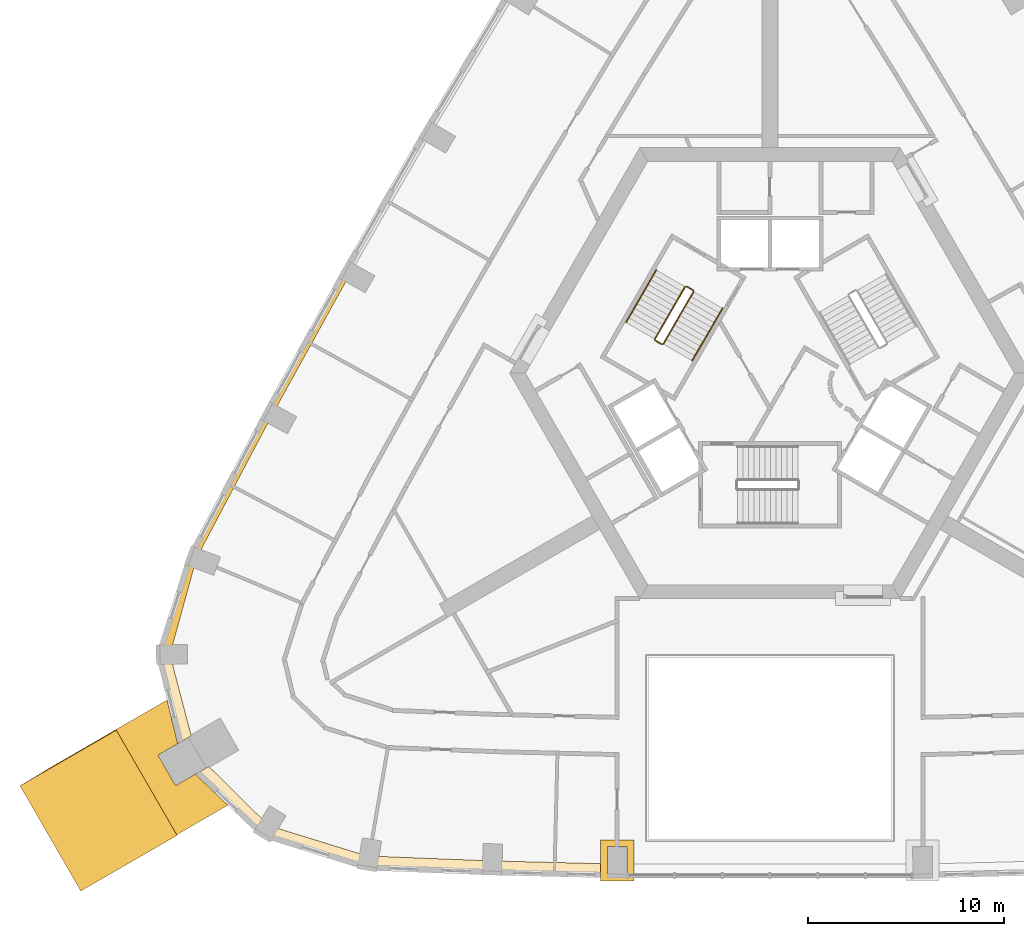
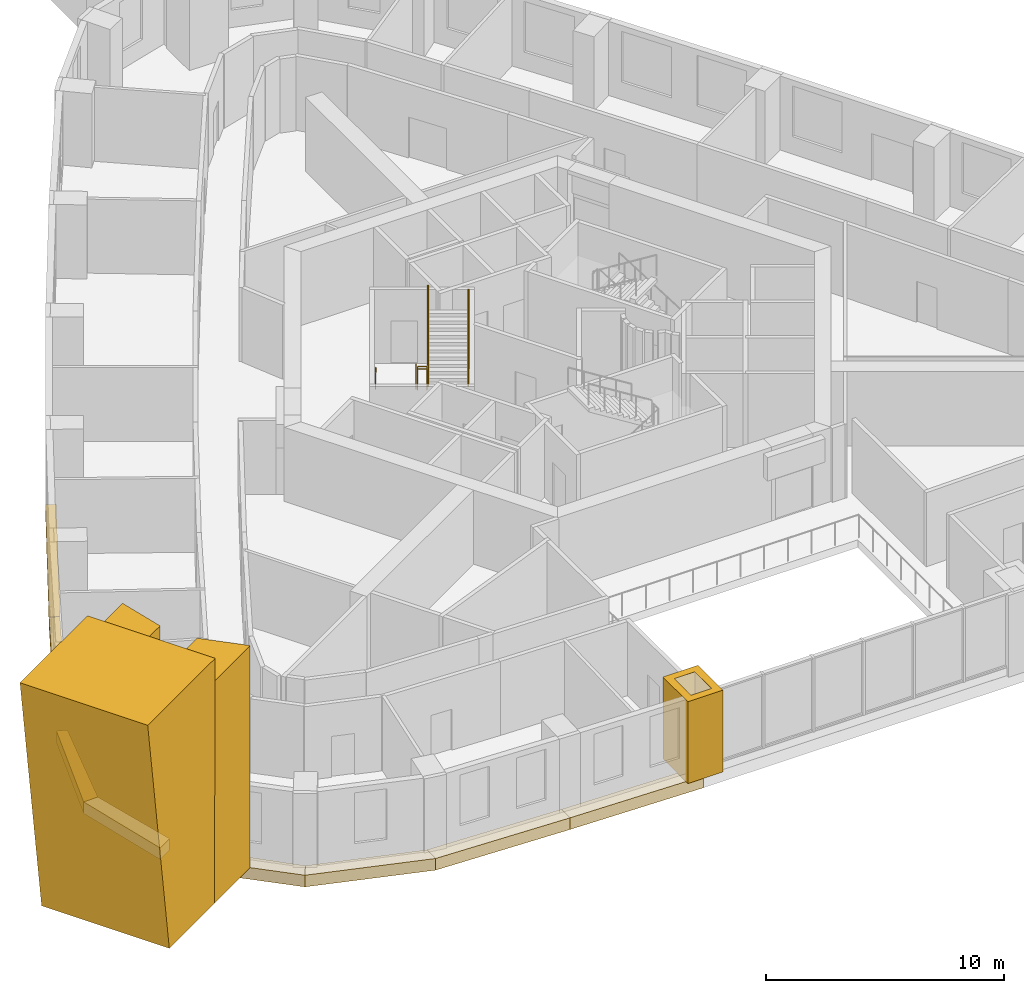
# One storey, part 11 of 13: 11 coverings, 6 railings.
"""IFC4 building model written with IfcOpenShell, lengths in metres."""

import ifcopenshell
import ifcopenshell.guid

model = None  # the IFC model being written
_history = None  # IfcOwnerHistory: only IFC2X3 demands one
_inside = {}  # id of a spatial element -> (the spatial element, [elements in it])
_under = {}  # id of a project, library or spatial element -> (it, [spatial elements below it])
_declared = {}  # id of a project -> (the project, [libraries it declares])
_typed = {}  # id of a type object -> (the type object, [elements of that type])
_made_of = {}  # id of a material, layer set ... -> (it, [elements and type objects made of it])


def new_model(schema):
    """Start an empty IFC model of exactly this schema.

    Asked for "IFC4X3", IfcOpenShell would pick the latest addendum, in which some entities
    have other attributes; the version numbers below select the first issue.
    IFC2X3 requires an IfcOwnerHistory on every rooted entity: one is made here for all.
    """
    global model, _history
    if schema == "IFC4X3":
        model = ifcopenshell.file(schema_version=(4, 3, 0, 0))
    else:
        model = ifcopenshell.file(schema=schema)
    _inside.clear()
    _under.clear()
    _declared.clear()
    _typed.clear()
    _made_of.clear()
    _history = None
    if model.schema == "IFC2X3":
        org = make("IfcOrganization", Name="unknown")
        user = make(
            "IfcPersonAndOrganization",
            ThePerson=make("IfcPerson", FamilyName="unknown"),
            TheOrganization=org,
        )
        app = make(
            "IfcApplication",
            ApplicationDeveloper=org,
            Version="unknown",
            ApplicationFullName="unknown",
            ApplicationIdentifier="unknown",
        )
        _history = make(
            "IfcOwnerHistory",
            OwningUser=user,
            OwningApplication=app,
            ChangeAction="ADDED",
            CreationDate=0,
        )
    return model


def make(cls, **values):
    """One entity of the class cls with the attributes given. An attribute that is None is left unset."""
    return model.create_entity(
        cls, **{name: value for name, value in values.items() if value is not None}
    )


def rooted(cls, **values):
    """An entity with a GlobalId (a new one), such as an element, a storey or a relation."""
    return make(cls, GlobalId=ifcopenshell.guid.new(), OwnerHistory=_history, **values)


def si_unit(unit_type, name, prefix=None):
    """IfcSIUnit, for example si_unit("LENGTHUNIT", "METRE", prefix="MILLI")."""
    return make("IfcSIUnit", UnitType=unit_type, Prefix=prefix, Name=name)


def assignment(units):
    """IfcUnitAssignment: the units of a project."""
    return None if units is None else make("IfcUnitAssignment", Units=units)


def point(xyz):
    """IfcCartesianPoint."""
    return None if xyz is None else make("IfcCartesianPoint", Coordinates=xyz)


def direction(xyz):
    """IfcDirection."""
    return None if xyz is None else make("IfcDirection", DirectionRatios=xyz)


def frame(location, z_axis=None, x_axis=None):
    """IfcAxis2Placement3D, a coordinate frame: its origin and axes. An axis left out is left unset."""
    return make(
        "IfcAxis2Placement3D",
        Location=point(location),
        Axis=direction(z_axis),
        RefDirection=direction(x_axis),
    )


def frame_2d(location, x_axis=None):
    """IfcAxis2Placement2D, a coordinate frame in the plane: its origin and x axis."""
    return make(
        "IfcAxis2Placement2D", Location=point(location), RefDirection=direction(x_axis)
    )


def origin():
    """The frame at (0, 0, 0) with its axes left unset."""
    return frame((0.0, 0.0, 0.0))


def origin_2d():
    """The frame at (0, 0) in the plane with its x axis left unset."""
    return frame_2d((0.0, 0.0))


def place(relative_to, where):
    """IfcLocalPlacement: puts the frame where relative to a parent placement (None: the world)."""
    return make(
        "IfcLocalPlacement", PlacementRelTo=relative_to, RelativePlacement=where
    )


def context(
    kind, dimensions, precision=None, world=None, true_north=None, identifier=None
):
    """IfcGeometricRepresentationContext, for example the 3D "Model" context."""
    return make(
        "IfcGeometricRepresentationContext",
        ContextIdentifier=identifier,
        ContextType=kind,
        CoordinateSpaceDimension=dimensions,
        Precision=precision,
        WorldCoordinateSystem=world,
        TrueNorth=true_north,
    )


def subcontext(parent, identifier, kind, view, scale=None):
    """IfcGeometricRepresentationSubContext, for example "Body" below "Model"."""
    return make(
        "IfcGeometricRepresentationSubContext",
        ContextIdentifier=identifier,
        ContextType=kind,
        ParentContext=parent,
        TargetScale=scale,
        TargetView=view,
    )


def project(units=None, contexts=None):
    """IfcProject with its units and contexts."""
    return rooted(
        "IfcProject",
        Name="project",
        RepresentationContexts=contexts,
        UnitsInContext=assignment(units),
    )


def spatial(cls, under=None, at=None, **own):
    """A site, building, storey or space (cls), placed at a placement, below another one or the project."""
    s = rooted(cls, ObjectPlacement=at, **own)
    if under is not None:
        _under.setdefault(under.id(), (under, []))[1].append(s)
    return s


def polyline(points):
    """IfcPolyline through the points."""
    return make("IfcPolyline", Points=[point(p) for p in points])


def profile(cls, at=None, kind="AREA", **sizes):
    """A parametric profile (cls). Its sizes go by their IFC names, for example OverallWidth=200.0."""
    return make(cls, ProfileType=kind, Position=at, **sizes)


def circle(**sizes):
    """IfcCircleProfileDef."""
    return profile("IfcCircleProfileDef", **sizes)


def outline(outer, holes=None, kind="AREA"):
    """IfcArbitraryClosedProfileDef: a profile drawn as a closed curve; with holes, ...WithVoids."""
    if holes is None:
        return make("IfcArbitraryClosedProfileDef", ProfileType=kind, OuterCurve=outer)
    return make(
        "IfcArbitraryProfileDefWithVoids",
        ProfileType=kind,
        OuterCurve=outer,
        InnerCurves=holes,
    )


def extrude(swept, where, along, depth):
    """IfcExtrudedAreaSolid: the profile swept, set in the frame where, extruded along a direction by depth."""
    return make(
        "IfcExtrudedAreaSolid",
        SweptArea=swept,
        Position=where,
        ExtrudedDirection=direction(along),
        Depth=depth,
    )


def shape(context_of_items, identifier, shape_type, items):
    """IfcShapeRepresentation: the items that make up one representation, for example the "Body"."""
    return make(
        "IfcShapeRepresentation",
        ContextOfItems=context_of_items,
        RepresentationIdentifier=identifier,
        RepresentationType=shape_type,
        Items=items,
    )


def material(Name=None, Category=None):
    """IfcMaterial."""
    return make("IfcMaterial", Name=Name, Category=Category)


def made_of(thing, what):
    """Note that an element or type object is made of a material, layer set ...; save() writes the relation."""
    if what is not None:
        _made_of.setdefault(what.id(), (what, []))[1].append(thing)
    return thing


def type_object(cls, material=None, **own):
    """A type object (cls), such as IfcWallType, which elements share."""
    return made_of(rooted(cls, **own), material)


def element(
    cls,
    number,
    at=None,
    inside=None,
    cuts=None,
    type_object=None,
    material=None,
    context=None,
    identifier="Body",
    shape_type=None,
    held_by="IfcProductDefinitionShape",
    body=None,
    shapes=None,
    **own,
):
    """One element of the class cls, such as IfcWall. Its Tag is "e" and its number.

    at: its placement. inside: the storey or other place that contains it. cuts: it is an
    opening in that element (IfcRelVoidsElement). A single representation is given by context,
    identifier, shape_type and body (its items); several are given by shapes. held_by: the class
    of the entity that holds the representations. save() writes the other relations.
    """
    e = rooted(cls, Tag="e%d" % number, ObjectPlacement=at, **own)
    if body is not None:
        shapes = [shape(context, identifier, shape_type, body)]
    if shapes is not None:
        e.Representation = make(held_by, Representations=shapes)
    if inside is not None:
        _inside.setdefault(inside.id(), (inside, []))[1].append(e)
    if cuts is not None:
        rooted(
            "IfcRelVoidsElement", RelatingBuildingElement=cuts, RelatedOpeningElement=e
        )
    if type_object is not None:
        _typed.setdefault(type_object.id(), (type_object, []))[1].append(e)
    return made_of(e, material)


def aggregate(whole, parts):
    """IfcRelAggregates: a whole, such as a stair, and the parts it consists of."""
    return rooted("IfcRelAggregates", RelatingObject=whole, RelatedObjects=parts)


def save(model, path):
    """Write the relations noted so far, then the file.

    IfcRelAggregates (storeys below a building ...), IfcRelContainedInSpatialStructure (elements
    in a storey), IfcRelDefinesByType, IfcRelAssociatesMaterial and IfcRelDeclares: one each for
    every whole, place, type object, material and project.
    """
    for whole, parts in _under.values():
        aggregate(whole, parts)
    for where, things in _inside.values():
        rooted(
            "IfcRelContainedInSpatialStructure",
            RelatedElements=things,
            RelatingStructure=where,
        )
    for kind, things in _typed.values():
        rooted("IfcRelDefinesByType", RelatedObjects=things, RelatingType=kind)
    for what, things in _made_of.values():
        rooted("IfcRelAssociatesMaterial", RelatedObjects=things, RelatingMaterial=what)
    for by, libraries in _declared.values():
        rooted("IfcRelDeclares", RelatingContext=by, RelatedDefinitions=libraries)
    model.write(path)


model = new_model("IFC4")

# Units and contexts
model_context = context("Model", 3, precision=1e-05, world=origin(), true_north=direction((0.0, 1.0)))
body_context = subcontext(model_context, "Body", "Model", "MODEL_VIEW")
ifc_project = project(units=[si_unit("LENGTHUNIT", "METRE"), si_unit("AREAUNIT", "SQUARE_METRE"), si_unit("VOLUMEUNIT", "CUBIC_METRE"), si_unit("PLANEANGLEUNIT", "RADIAN"), si_unit("MASSUNIT", "GRAM", prefix="KILO")], contexts=[model_context])

# Site, building, storey
site_placement = place(None, origin())
site = spatial("IfcSite", under=ifc_project, at=site_placement, CompositionType="ELEMENT")
building_placement = place(site_placement, origin())
building = spatial("IfcBuilding", under=site, at=building_placement, Name="Entoto Arch Interchange Tower", CompositionType="ELEMENT")
storey_placement = place(building_placement, frame((0.0, 0.0, 215.0)))
storey = spatial("IfcBuildingStorey", under=building, at=storey_placement, Name="L48", CompositionType="ELEMENT", Elevation=215.0)

# Coverings
ifc_material_1 = material(Name="Board-marked precast concrete C50/60", Category="concrete")
covering_type_1 = type_object("IfcCoveringType", Name="PRECAST FRAME COURSE", PredefinedType="CLADDING", material=ifc_material_1)
covering_1_placement = place(storey_placement, frame((0.0, 0.0, -0.39990234375)))
element("IfcCovering", 1, at=covering_1_placement, inside=storey, type_object=covering_type_1, Name="Corner pilaster SW L48-L50", PredefinedType="CLADDING", context=body_context, shape_type="SweptSolid", body=[
    extrude(outline(polyline([(-30.260986328125, -21.051025390625), (-33.361083984375, -15.680908203125), (-30.7529296875, -14.176025390625), (-30.212890625, -16.404052734375), (-31.220947265625, -16.987060546875), (-30.321044921875, -18.544921875), (-29.31298828125, -17.962890625), (-27.653076171875, -19.544921875), (-30.260986328125, -21.051025390625)])), origin(), (0.0, 0.0, 1.0), 11.39990234375),
])
covering_2_placement = place(storey_placement, frame((-33.361083984375, -15.680908203125, -0.39990234375), z_axis=(-0.500046761038, 0.865993119674, 0.003025467293), x_axis=(-0.865997082927, -0.500049049955, 1.2411e-07)))
element("IfcCovering", 2, at=covering_2_placement, inside=storey, type_object=covering_type_1, Name="Corner rib SW L48-L50", PredefinedType="CLADDING", context=body_context, shape_type="SweptSolid", body=[
    extrude(outline(polyline([(0.0, 0.0), (3.7933036789406755, 8.673617379884035e-19), (5.6756076009987835, 12.59991047769772), (0.0001135994912003107, 12.599911652875093), (0.0, 0.0)])), origin(), (0.0, 0.0, -1.0), 6.199951171875),
])
covering_3_placement = place(storey_placement, frame((0.0, 0.0, -0.39990234375)))
element("IfcCovering", 3, at=covering_3_placement, inside=storey, type_object=covering_type_1, Name="Gate pier L48", PredefinedType="CLADDING", context=body_context, shape_type="SweptSolid", body=[
    extrude(outline(polyline([(-8.637939453125, -21.31103515625), (-6.93798828125, -21.31103515625), (-6.93798828125, -23.410888671875), (-8.637939453125, -23.410888671875), (-8.637939453125, -21.31103515625)]), holes=[polyline([(-8.2880859375, -21.660888671875), (-8.2880859375, -23.06103515625), (-7.2880859375, -23.06103515625), (-7.2880859375, -21.660888671875), (-8.2880859375, -21.660888671875)])]), origin(), (0.0, 0.0, 1.0), 4.199951171875),
])
covering_type_2 = type_object("IfcCoveringType", Name="PRECAST LEDGE COURSE", PredefinedType="CLADDING", material=ifc_material_1)
covering_4_placement = place(storey_placement, frame((0.0, 0.0, -1.0)))
element("IfcCovering", 4, at=covering_4_placement, inside=storey, type_object=covering_type_2, Name="Precast course S-01 L48", PredefinedType="CLADDING", context=body_context, shape_type="SweptSolid", body=[
    extrude(outline(polyline([(-14.18505859375, -22.383056640625), (-14.18505859375, -23.10693359375), (-20.569091796875, -22.862060546875), (-20.569091796875, -22.1279296875), (-14.18505859375, -22.383056640625)])), origin(), (0.0, 0.0, 1.0), 0.60009765625),
])
covering_5_placement = place(storey_placement, frame((0.0, 0.0, -1.0)))
element("IfcCovering", 5, at=covering_5_placement, inside=storey, type_object=covering_type_2, Name="Precast course S-02 L48", PredefinedType="CLADDING", context=body_context, shape_type="SweptSolid", body=[
    extrude(outline(polyline([(-7.800048828125, -22.5439453125), (-7.800048828125, -23.260986328125), (-14.18505859375, -23.10693359375), (-14.18505859375, -22.383056640625), (-7.800048828125, -22.5439453125)])), origin(), (0.0, 0.0, 1.0), 0.60009765625),
])
covering_6_placement = place(storey_placement, frame((0.0, 0.0, -1.0)))
element("IfcCovering", 6, at=covering_6_placement, inside=storey, type_object=covering_type_2, Name="Precast course NW-04 L48", PredefinedType="CLADDING", context=body_context, shape_type="SweptSolid", body=[
    extrude(outline(polyline([(-25.383056640625, 0.385009765625), (-25.784912109375, 0.60205078125), (-21.791015625, 7.819091796875), (-21.39892578125, 7.596923828125), (-25.383056640625, 0.385009765625)])), origin(), (0.0, 0.0, 1.0), 0.60009765625),
])
covering_7_placement = place(storey_placement, frame((0.0, 0.0, -1.0)))
element("IfcCovering", 7, at=covering_7_placement, inside=storey, type_object=covering_type_2, Name="Precast course NW-05 L48", PredefinedType="CLADDING", context=body_context, shape_type="SweptSolid", body=[
    extrude(outline(polyline([(-29.256103515625, -6.951904296875), (-29.699951171875, -6.7880859375), (-25.784912109375, 0.60205078125), (-25.383056640625, 0.385009765625), (-29.256103515625, -6.951904296875)])), origin(), (0.0, 0.0, 1.0), 0.60009765625),
])
covering_8_placement = place(storey_placement, frame((0.0, 0.0, -1.0)))
element("IfcCovering", 8, at=covering_8_placement, inside=storey, type_object=covering_type_2, Name="Precast course SW-01 L48", PredefinedType="CLADDING", context=body_context, shape_type="SweptSolid", body=[
    extrude(outline(polyline([(-30.60693359375, -11.85595703125), (-31.31201171875, -11.873046875), (-29.699951171875, -6.7880859375), (-29.256103515625, -6.951904296875), (-30.60693359375, -11.85595703125)])), origin(), (0.0, 0.0, 1.0), 0.60009765625),
])
covering_9_placement = place(storey_placement, frame((0.0, 0.0, -1.0)))
element("IfcCovering", 9, at=covering_9_placement, inside=storey, type_object=covering_type_2, Name="Precast course SW-02 L48", PredefinedType="CLADDING", context=body_context, shape_type="SweptSolid", body=[
    extrude(outline(polyline([(-29.52099609375, -16.0048828125), (-30.212890625, -16.405029296875), (-31.31201171875, -11.873046875), (-30.60693359375, -11.85595703125), (-29.52099609375, -16.0048828125)])), origin(), (0.0, 0.0, 1.0), 0.60009765625),
])
covering_10_placement = place(storey_placement, frame((0.0, 0.0, -1.0)))
element("IfcCovering", 10, at=covering_10_placement, inside=storey, type_object=covering_type_2, Name="Precast course SW-03 L48", PredefinedType="CLADDING", context=body_context, shape_type="SweptSolid", body=[
    extrude(outline(polyline([(-25.571044921875, -20.5791015625), (-25.93798828125, -21.179931640625), (-29.31298828125, -17.962890625), (-28.62109375, -17.56396484375), (-25.571044921875, -20.5791015625)])), origin(), (0.0, 0.0, 1.0), 0.60009765625),
])
covering_11_placement = place(storey_placement, frame((0.0, 0.0, -1.0)))
element("IfcCovering", 11, at=covering_11_placement, inside=storey, type_object=covering_type_2, Name="Precast course SW-04 L48", PredefinedType="CLADDING", context=body_context, shape_type="SweptSolid", body=[
    extrude(outline(polyline([(-20.569091796875, -22.1279296875), (-20.569091796875, -22.862060546875), (-25.93798828125, -21.179931640625), (-25.571044921875, -20.5791015625), (-20.569091796875, -22.1279296875)])), origin(), (0.0, 0.0, 1.0), 0.60009765625),
])

# Railings
ifc_material_2 = material(Name="Stainless steel 1.4301", Category="steel")
railing_type_1 = type_object("IfcRailingType", Name="STAIR GUARD 1100 STEEL", PredefinedType="GUARDRAIL", material=ifc_material_2)
railing_1_placement = place(storey_placement, frame((-4.327880859375, 6.904052734375, 0.175048828125)))
element("IfcRailing", 12, at=railing_1_placement, inside=storey, type_object=railing_type_1, Name="L48 ST-NW stair guard 1", PredefinedType="GUARDRAIL", context=body_context, shape_type="SweptSolid", body=[
    extrude(circle(Radius=0.02392578125, at=origin_2d()), frame((0.0, 0.0, 1.076171875), z_axis=(-0.423994474112, -0.734394994316, 0.52999309264), x_axis=(0.866029832698, -0.499992328818, 0.0)), (0.0, 0.0, 1.0), 3.63232421875),
    extrude(circle(Radius=0.02099609375, at=origin_2d()), origin(), (0.0, 0.0, 1.0), 1.052001953125),
    extrude(circle(Radius=0.02099609375, at=origin_2d()), frame((-0.385009765625, -0.6669921875, 0.481201171875)), (0.0, 0.0, 1.0), 1.052001953125),
    extrude(circle(Radius=0.02099609375, at=origin_2d()), frame((-0.77001953125, -1.333740234375, 0.96240234375)), (0.0, 0.0, 1.0), 1.052001953125),
    extrude(circle(Radius=0.02099609375, at=origin_2d()), frame((-1.155029296875, -2.00048828125, 1.44384765625)), (0.0, 0.0, 1.0), 1.052001953125),
    extrude(circle(Radius=0.02099609375, at=origin_2d()), frame((-1.5400390625, -2.66748046875, 1.925048828125)), (0.0, 0.0, 1.0), 1.052001953125),
])
railing_2_placement = place(storey_placement, frame((-5.849609375, 4.168212890625, 2.10009765625)))
element("IfcRailing", 13, at=railing_2_placement, inside=storey, type_object=railing_type_1, Name="L48 ST-NW stair guard 2", PredefinedType="GUARDRAIL", context=body_context, shape_type="SweptSolid", body=[
    extrude(circle(Radius=0.02392578125, at=origin_2d()), frame((0.0, 0.0, 1.076171875), z_axis=(0.866094119867, -0.499880961361, 0.0), x_axis=(0.499880961361, 0.866094119867, 0.0)), (0.0, 0.0, 1.0), 0.39990234375),
    extrude(circle(Radius=0.02099609375, at=origin_2d()), origin(), (0.0, 0.0, 1.0), 1.052001953125),
    extrude(circle(Radius=0.02099609375, at=origin_2d()), frame((0.346435546875, -0.199951171875, 0.0)), (0.0, 0.0, 1.0), 1.052001953125),
])
railing_3_placement = place(storey_placement, frame((-5.434814453125, 3.986572265625, 2.27490234375)))
element("IfcRailing", 14, at=railing_3_placement, inside=storey, type_object=railing_type_1, Name="L48 ST-NW stair guard 3", PredefinedType="GUARDRAIL", context=body_context, shape_type="SweptSolid", body=[
    extrude(circle(Radius=0.02392578125, at=origin_2d()), frame((0.0, 0.0, 1.076171875), z_axis=(0.423994474112, 0.734394994316, 0.52999309264), x_axis=(-0.866029832698, 0.499992328818, 0.0)), (0.0, 0.0, 1.0), 3.63232421875),
    extrude(circle(Radius=0.02099609375, at=origin_2d()), origin(), (0.0, 0.0, 1.0), 1.052001953125),
    extrude(circle(Radius=0.02099609375, at=origin_2d()), frame((0.385009765625, 0.6669921875, 0.481201171875)), (0.0, 0.0, 1.0), 1.052001953125),
    extrude(circle(Radius=0.02099609375, at=origin_2d()), frame((0.77001953125, 1.333740234375, 0.96240234375)), (0.0, 0.0, 1.0), 1.052001953125),
    extrude(circle(Radius=0.02099609375, at=origin_2d()), frame((1.155029296875, 2.00048828125, 1.44384765625)), (0.0, 0.0, 1.0), 1.052001953125),
    extrude(circle(Radius=0.02099609375, at=origin_2d()), frame((1.5400390625, 2.66748046875, 1.925048828125)), (0.0, 0.0, 1.0), 1.052001953125),
])
railing_4_placement = place(storey_placement, frame((-4.259521484375, 6.92236328125, 0.0)))
element("IfcRailing", 15, at=railing_4_placement, inside=storey, type_object=railing_type_1, Name="L48 ST-NW stair guard 4", PredefinedType="GUARDRAIL", context=body_context, shape_type="SweptSolid", body=[
    extrude(circle(Radius=0.02392578125, at=origin_2d()), frame((0.0, 0.0, 1.076171875), z_axis=(0.865829829939, -0.500338590944, 0.0), x_axis=(0.500338590944, 0.865829829939, 0.0)), (0.0, 0.0, 1.0), 0.400146484375),
    extrude(circle(Radius=0.02099609375, at=origin_2d()), origin(), (0.0, 0.0, 1.0), 1.052001953125),
    extrude(circle(Radius=0.02099609375, at=origin_2d()), frame((0.346435546875, -0.2001953125, 0.0)), (0.0, 0.0, 1.0), 1.052001953125),
])
railing_type_2 = type_object("IfcRailingType", Name="STAIR HANDRAIL 900 STEEL", PredefinedType="HANDRAIL", material=ifc_material_2)
railing_5_placement = place(storey_placement, frame((-5.800048828125, 7.75390625, 0.175048828125)))
element("IfcRailing", 16, at=railing_5_placement, inside=storey, type_object=railing_type_2, Name="L48 ST-NW stair handrail 1", PredefinedType="HANDRAIL", context=body_context, shape_type="SweptSolid", body=[
    extrude(circle(Radius=0.02392578125, at=origin_2d()), frame((0.0, 0.0, 0.8759765625), z_axis=(-0.424015404183, -0.734364028329, 0.530019255228), x_axis=(0.866010015463, -0.500026652407, 0.0)), (0.0, 0.0, 1.0), 3.632080078125),
    extrude(circle(Radius=0.02099609375, at=origin_2d()), origin(), (0.0, 0.0, 1.0), 0.851806640625),
    extrude(circle(Radius=0.02099609375, at=origin_2d()), frame((-0.385009765625, -0.666748046875, 0.481201171875)), (0.0, 0.0, 1.0), 0.851806640625),
    extrude(circle(Radius=0.02099609375, at=origin_2d()), frame((-0.77001953125, -1.33349609375, 0.96240234375)), (0.0, 0.0, 1.0), 0.851806640625),
    extrude(circle(Radius=0.02099609375, at=origin_2d()), frame((-1.155029296875, -2.00048828125, 1.44384765625)), (0.0, 0.0, 1.0), 0.851806640625),
    extrude(circle(Radius=0.02099609375, at=origin_2d()), frame((-1.5400390625, -2.667236328125, 1.925048828125)), (0.0, 0.0, 1.0), 0.851806640625),
])
railing_6_placement = place(storey_placement, frame((-3.962646484375, 3.136474609375, 2.27490234375)))
element("IfcRailing", 17, at=railing_6_placement, inside=storey, type_object=railing_type_2, Name="L48 ST-NW stair handrail 2", PredefinedType="HANDRAIL", context=body_context, shape_type="SweptSolid", body=[
    extrude(circle(Radius=0.02392578125, at=origin_2d()), frame((0.0, 0.0, 0.8759765625), z_axis=(0.423994474112, 0.734394994316, 0.52999309264), x_axis=(-0.866029832698, 0.499992328818, 0.0)), (0.0, 0.0, 1.0), 3.63232421875),
    extrude(circle(Radius=0.02099609375, at=origin_2d()), origin(), (0.0, 0.0, 1.0), 0.851806640625),
    extrude(circle(Radius=0.02099609375, at=origin_2d()), frame((0.385009765625, 0.6669921875, 0.481201171875)), (0.0, 0.0, 1.0), 0.851806640625),
    extrude(circle(Radius=0.02099609375, at=origin_2d()), frame((0.77001953125, 1.333740234375, 0.96240234375)), (0.0, 0.0, 1.0), 0.851806640625),
    extrude(circle(Radius=0.02099609375, at=origin_2d()), frame((1.155029296875, 2.00048828125, 1.44384765625)), (0.0, 0.0, 1.0), 0.851806640625),
    extrude(circle(Radius=0.02099609375, at=origin_2d()), frame((1.5400390625, 2.66748046875, 1.925048828125)), (0.0, 0.0, 1.0), 0.851806640625),
])

save(model, "model.ifc")
